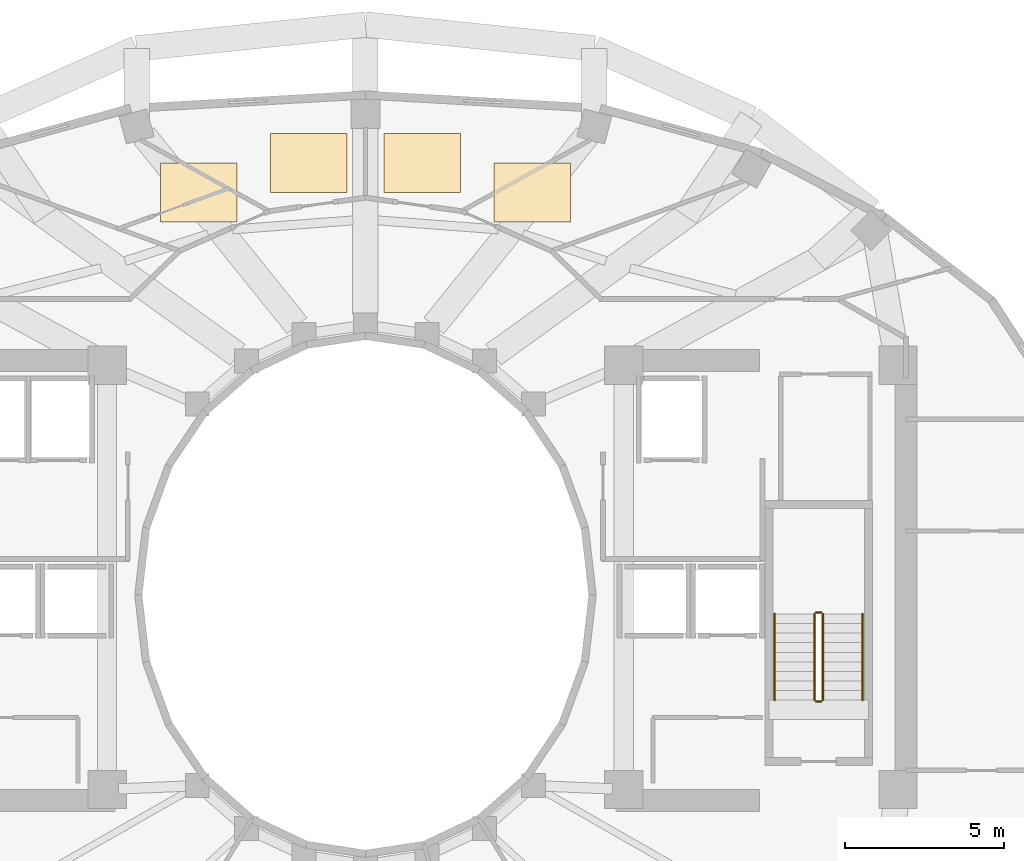
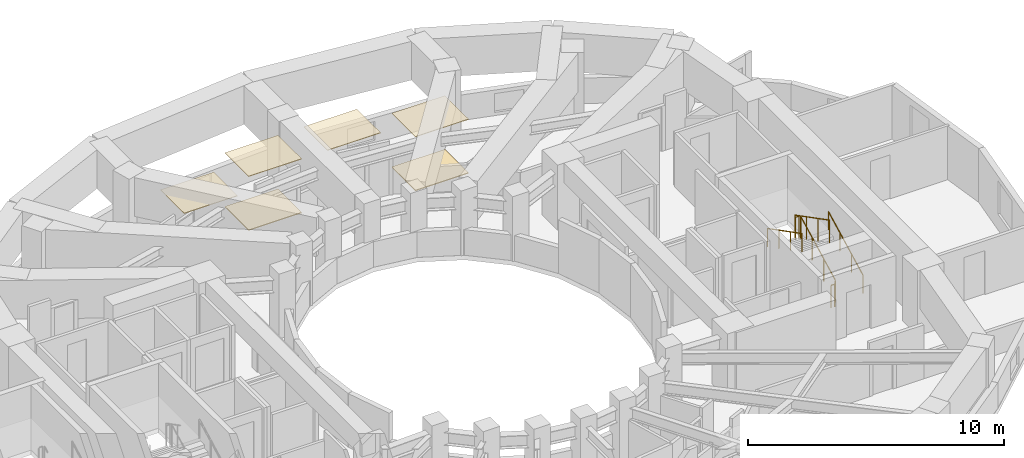
# One storey, part 9 of 9: 6 coverings, 6 railings.
"""IFC4 building model written with IfcOpenShell, lengths in metres."""

from ifc_helpers import new_model, si_unit, direction, frame, origin, origin_2d, place, context, subcontext, project, spatial, polyline, circle, outline, extrude, material, layer, layer_set, type_object, element, save


model = new_model("IFC4")

# Units and contexts
model_context = context("Model", 3, precision=1e-05, world=origin(), true_north=direction((0.0, 1.0)))
body_context = subcontext(model_context, "Body", "Model", "MODEL_VIEW")
ifc_project = project(units=[si_unit("LENGTHUNIT", "METRE"), si_unit("AREAUNIT", "SQUARE_METRE"), si_unit("VOLUMEUNIT", "CUBIC_METRE"), si_unit("PLANEANGLEUNIT", "RADIAN"), si_unit("MASSUNIT", "GRAM", prefix="KILO")], contexts=[model_context])

# Site, building, storey
site_placement = place(None, origin())
site = spatial("IfcSite", under=ifc_project, at=site_placement, CompositionType="ELEMENT")
building_placement = place(site_placement, origin())
building = spatial("IfcBuilding", under=site, at=building_placement, Name="Solvane Sanctuary Tower", CompositionType="ELEMENT")
storey_placement = place(building_placement, frame((0.0, 0.0, 140.5)))
storey = spatial("IfcBuildingStorey", under=building, at=storey_placement, Name="L42", CompositionType="ELEMENT", Elevation=140.5)

# Coverings
ifc_material_1 = material(Name="Acoustic Gypsum Partition Board")
ifc_layer_1 = layer(ifc_material_1, 0.02490234375, Name="Acoustic Gypsum Partition Board")
ifc_layer_set_1 = layer_set([ifc_layer_1], Name="Acoustic Gypsum Partition Board")
covering_type_1 = type_object("IfcCoveringType", Name="Covering CLG-ACOUST", PredefinedType="CEILING", material=ifc_layer_set_1)
covering_1_placement = place(storey_placement, frame((0.0, 0.0, 2.570068359375)))
element("IfcCovering", 1, at=covering_1_placement, inside=storey, type_object=covering_type_1, Name="L42 Unit Acoustic Ceiling Panel 1", PredefinedType="CEILING", context=body_context, shape_type="SweptSolid", body=[
    extrude(outline(polyline([(36.02392578125, 34.68603515625), (38.424072265625, 34.68603515625), (38.424072265625, 36.535888671875), (36.02392578125, 36.535888671875), (36.02392578125, 34.68603515625)])), origin(), (0.0, 0.0, 1.0), 0.030029296875),
])
covering_2_placement = place(storey_placement, frame((0.0, 0.0, 2.570068359375)))
element("IfcCovering", 2, at=covering_2_placement, inside=storey, type_object=covering_type_1, Name="L42 Unit Acoustic Ceiling Panel 2", PredefinedType="CEILING", context=body_context, shape_type="SweptSolid", body=[
    extrude(outline(polyline([(32.58203125, 35.60791015625), (34.98193359375, 35.60791015625), (34.98193359375, 37.4580078125), (32.58203125, 37.4580078125), (32.58203125, 35.60791015625)])), origin(), (0.0, 0.0, 1.0), 0.030029296875),
])
covering_3_placement = place(storey_placement, frame((0.0, 0.0, 2.570068359375)))
element("IfcCovering", 3, at=covering_3_placement, inside=storey, type_object=covering_type_1, Name="L42 Unit Acoustic Ceiling Panel 3", PredefinedType="CEILING", context=body_context, shape_type="SweptSolid", body=[
    extrude(outline(polyline([(29.01806640625, 35.60791015625), (31.41796875, 35.60791015625), (31.41796875, 37.4580078125), (29.01806640625, 37.4580078125), (29.01806640625, 35.60791015625)])), origin(), (0.0, 0.0, 1.0), 0.030029296875),
])
covering_4_placement = place(storey_placement, frame((0.0, 0.0, 2.570068359375)))
element("IfcCovering", 4, at=covering_4_placement, inside=storey, type_object=covering_type_1, Name="L42 Unit Acoustic Ceiling Panel 4", PredefinedType="CEILING", context=body_context, shape_type="SweptSolid", body=[
    extrude(outline(polyline([(25.575927734375, 34.68603515625), (27.97607421875, 34.68603515625), (27.97607421875, 36.535888671875), (25.575927734375, 36.535888671875), (25.575927734375, 34.68603515625)])), origin(), (0.0, 0.0, 1.0), 0.030029296875),
])
ifc_material_2 = material(Name="Ceramic Tile Finish")
ifc_layer_2 = layer(ifc_material_2, 0.030029296875, Name="Ceramic Tile Finish")
ifc_layer_set_2 = layer_set([ifc_layer_2], Name="Ceramic Tile Finish")
covering_type_2 = type_object("IfcCoveringType", Name="Covering FLR-TERRAZZO", PredefinedType="FLOORING", material=ifc_layer_set_2)
covering_5_placement = place(storey_placement, origin())
element("IfcCovering", 5, at=covering_5_placement, inside=storey, type_object=covering_type_2, Name="L42 Unit Terrazzo Inlay 1", PredefinedType="FLOORING", context=body_context, shape_type="SweptSolid", body=[
    extrude(outline(polyline([(36.02392578125, 34.68603515625), (38.424072265625, 34.68603515625), (38.424072265625, 36.535888671875), (36.02392578125, 36.535888671875), (36.02392578125, 34.68603515625)])), origin(), (0.0, 0.0, 1.0), 0.034912109375),
])
covering_6_placement = place(storey_placement, origin())
element("IfcCovering", 6, at=covering_6_placement, inside=storey, type_object=covering_type_2, Name="L42 Unit Terrazzo Inlay 3", PredefinedType="FLOORING", context=body_context, shape_type="SweptSolid", body=[
    extrude(outline(polyline([(29.01806640625, 35.60791015625), (31.41796875, 35.60791015625), (31.41796875, 37.4580078125), (29.01806640625, 37.4580078125), (29.01806640625, 35.60791015625)])), origin(), (0.0, 0.0, 1.0), 0.034912109375),
])

# Railings
ifc_material_3 = material(Name="Architectural Stainless Steel 316", Category="steel")
railing_type_1 = type_object("IfcRailingType", Name="Railing GR-BALC-1150", PredefinedType="BALUSTRADE", material=ifc_material_3)
railing_1_placement = place(storey_placement, frame((46.340087890625, 19.699951171875, 0.155029296875)))
element("IfcRailing", 7, at=railing_1_placement, inside=storey, type_object=railing_type_1, Name="L42 ST-2 stair guard 1", PredefinedType="BALUSTRADE", context=body_context, shape_type="SweptSolid", body=[
    extrude(circle(Radius=0.02392578125, at=origin_2d()), frame((0.0, 0.0, 1.076171875), z_axis=(0.0, 0.888419900624, 0.459031676658), x_axis=(-1.0, 0.0, 0.0)), (0.0, 0.0, 1.0), 3.0390625),
    extrude(circle(Radius=0.02099609375, at=origin_2d()), origin(), (0.0, 0.0, 1.0), 1.052001953125),
    extrude(circle(Radius=0.02099609375, at=origin_2d()), frame((0.0, 0.89990234375, 0.465087890625)), (0.0, 0.0, 1.0), 1.052001953125),
    extrude(circle(Radius=0.02099609375, at=origin_2d()), frame((0.0, 1.800048828125, 0.929931640625)), (0.0, 0.0, 1.0), 1.052001953125),
    extrude(circle(Radius=0.02099609375, at=origin_2d()), frame((0.0, 2.699951171875, 1.39501953125)), (0.0, 0.0, 1.0), 1.052001953125),
])
railing_2_placement = place(storey_placement, frame((46.2900390625, 22.449951171875, 1.550048828125)))
element("IfcRailing", 8, at=railing_2_placement, inside=storey, type_object=railing_type_1, Name="L42 ST-2 stair guard 2", PredefinedType="BALUSTRADE", context=body_context, shape_type="SweptSolid", body=[
    extrude(circle(Radius=0.02392578125, at=origin_2d()), frame((0.0, 0.0, 1.076171875), z_axis=(-1.0, 0.0, 0.0), x_axis=(0.0, -1.0, 0.0)), (0.0, 0.0, 1.0), 0.16015625),
    extrude(circle(Radius=0.02099609375, at=origin_2d()), origin(), (0.0, 0.0, 1.0), 1.052001953125),
    extrude(circle(Radius=0.02099609375, at=origin_2d()), frame((-0.16015625, 0.0, 0.0)), (0.0, 0.0, 1.0), 1.052001953125),
])
railing_3_placement = place(storey_placement, frame((46.080078125, 22.39990234375, 1.705078125)))
element("IfcRailing", 9, at=railing_3_placement, inside=storey, type_object=railing_type_1, Name="L42 ST-2 stair guard 3", PredefinedType="BALUSTRADE", context=body_context, shape_type="SweptSolid", body=[
    extrude(circle(Radius=0.02392578125, at=origin_2d()), frame((0.0, 0.0, 1.076171875), z_axis=(0.0, -0.888419900624, 0.459031676658), x_axis=(1.0, 0.0, 0.0)), (0.0, 0.0, 1.0), 3.0390625),
    extrude(circle(Radius=0.02099609375, at=origin_2d()), origin(), (0.0, 0.0, 1.0), 1.052001953125),
    extrude(circle(Radius=0.02099609375, at=origin_2d()), frame((0.0, -0.89990234375, 0.465087890625)), (0.0, 0.0, 1.0), 1.052001953125),
    extrude(circle(Radius=0.02099609375, at=origin_2d()), frame((0.0, -1.800048828125, 0.929931640625)), (0.0, 0.0, 1.0), 1.052001953125),
    extrude(circle(Radius=0.02099609375, at=origin_2d()), frame((0.0, -2.699951171875, 1.39501953125)), (0.0, 0.0, 1.0), 1.052001953125),
])
railing_4_placement = place(storey_placement, frame((46.2900390625, 19.64990234375, 0.0)))
element("IfcRailing", 10, at=railing_4_placement, inside=storey, type_object=railing_type_1, Name="L42 ST-2 stair guard 4", PredefinedType="BALUSTRADE", context=body_context, shape_type="SweptSolid", body=[
    extrude(circle(Radius=0.02392578125, at=origin_2d()), frame((0.0, 0.0, 1.076171875), z_axis=(-1.0, 0.0, 0.0), x_axis=(0.0, -1.0, 0.0)), (0.0, 0.0, 1.0), 0.16015625),
    extrude(circle(Radius=0.02099609375, at=origin_2d()), origin(), (0.0, 0.0, 1.0), 1.052001953125),
    extrude(circle(Radius=0.02099609375, at=origin_2d()), frame((-0.16015625, 0.0, 0.0)), (0.0, 0.0, 1.0), 1.052001953125),
])
railing_type_2 = type_object("IfcRailingType", Name="Railing HR-STAIR-920", PredefinedType="HANDRAIL", material=ifc_material_3)
railing_5_placement = place(storey_placement, frame((47.590087890625, 19.699951171875, 0.155029296875)))
element("IfcRailing", 11, at=railing_5_placement, inside=storey, type_object=railing_type_2, Name="L42 ST-2 stair handrail 1", PredefinedType="HANDRAIL", context=body_context, shape_type="SweptSolid", body=[
    extrude(circle(Radius=0.02392578125, at=origin_2d()), frame((0.0, 0.0, 0.8759765625), z_axis=(0.0, 0.888419900624, 0.459031676658), x_axis=(-1.0, 0.0, 0.0)), (0.0, 0.0, 1.0), 3.0390625),
    extrude(circle(Radius=0.02099609375, at=origin_2d()), origin(), (0.0, 0.0, 1.0), 0.851806640625),
    extrude(circle(Radius=0.02099609375, at=origin_2d()), frame((0.0, 0.89990234375, 0.465087890625)), (0.0, 0.0, 1.0), 0.851806640625),
    extrude(circle(Radius=0.02099609375, at=origin_2d()), frame((0.0, 1.800048828125, 0.929931640625)), (0.0, 0.0, 1.0), 0.851806640625),
    extrude(circle(Radius=0.02099609375, at=origin_2d()), frame((0.0, 2.699951171875, 1.39501953125)), (0.0, 0.0, 1.0), 0.851806640625),
])
railing_6_placement = place(storey_placement, frame((44.830078125, 22.39990234375, 1.705078125)))
element("IfcRailing", 12, at=railing_6_placement, inside=storey, type_object=railing_type_2, Name="L42 ST-2 stair handrail 2", PredefinedType="HANDRAIL", context=body_context, shape_type="SweptSolid", body=[
    extrude(circle(Radius=0.02392578125, at=origin_2d()), frame((0.0, 0.0, 0.8759765625), z_axis=(0.0, -0.888419900624, 0.459031676658), x_axis=(1.0, 0.0, 0.0)), (0.0, 0.0, 1.0), 3.0390625),
    extrude(circle(Radius=0.02099609375, at=origin_2d()), origin(), (0.0, 0.0, 1.0), 0.851806640625),
    extrude(circle(Radius=0.02099609375, at=origin_2d()), frame((0.0, -0.89990234375, 0.465087890625)), (0.0, 0.0, 1.0), 0.851806640625),
    extrude(circle(Radius=0.02099609375, at=origin_2d()), frame((0.0, -1.800048828125, 0.929931640625)), (0.0, 0.0, 1.0), 0.851806640625),
    extrude(circle(Radius=0.02099609375, at=origin_2d()), frame((0.0, -2.699951171875, 1.39501953125)), (0.0, 0.0, 1.0), 0.851806640625),
])

save(model, "model.ifc")
